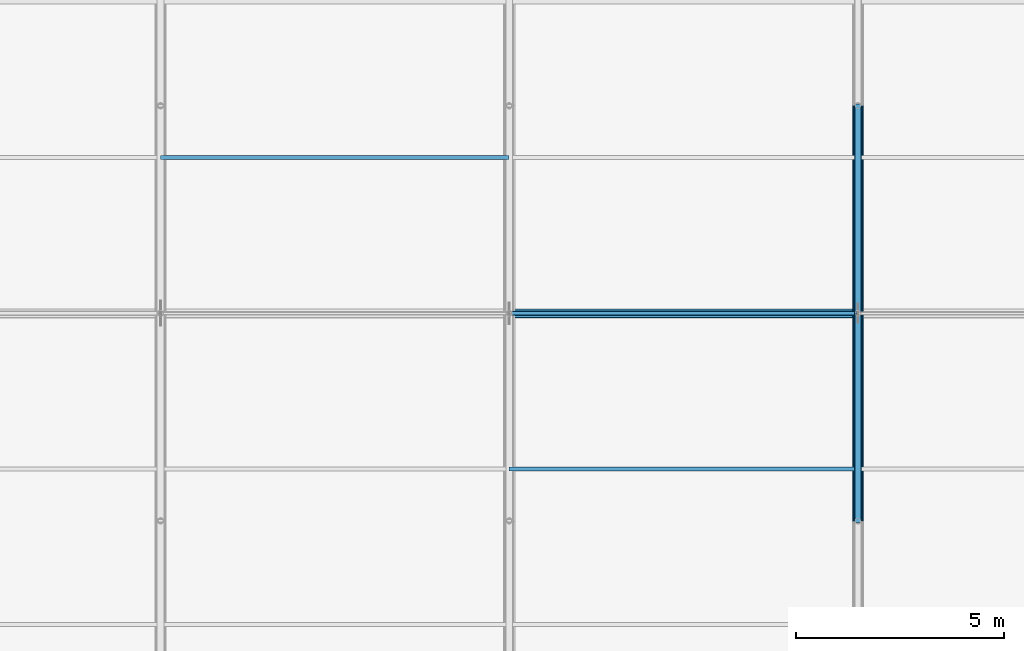
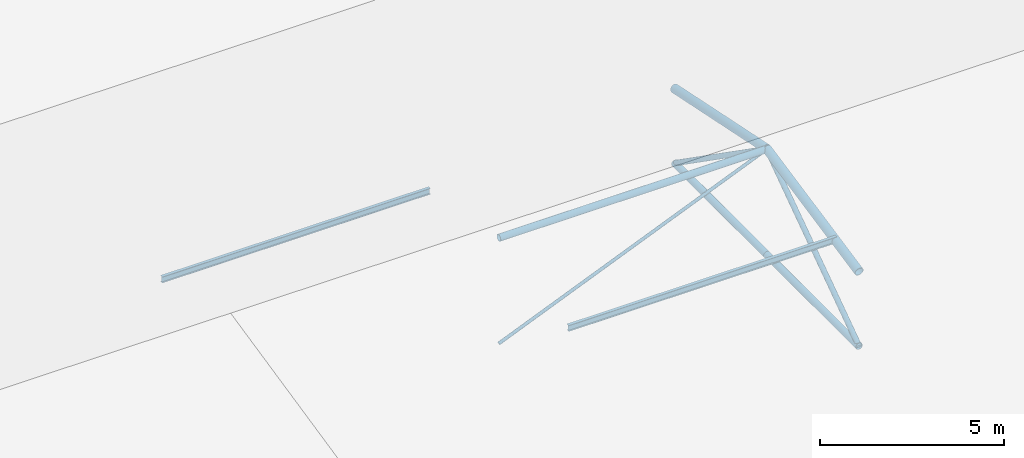
# One storey, part 34 of 194: 8 members, 2 beams.
"""IFC4 building model written with IfcOpenShell, lengths in metres."""

from ifc_helpers import new_model, si_unit, direction, frame, origin, origin_2d, place, context, subcontext, project, spatial, hollow_circle, i_section, extrude, material, material_profile, profile_set, type_object, element, save


model = new_model("IFC4")

# Units and contexts
model_context = context("Model", 3, precision=1e-05, world=origin(), true_north=direction((0.0, 1.0)))
body_context = subcontext(model_context, "Body", "Model", "MODEL_VIEW")
ifc_project = project(units=[si_unit("LENGTHUNIT", "METRE"), si_unit("AREAUNIT", "SQUARE_METRE"), si_unit("VOLUMEUNIT", "CUBIC_METRE"), si_unit("PLANEANGLEUNIT", "RADIAN"), si_unit("MASSUNIT", "GRAM", prefix="KILO")], contexts=[model_context])

# Site, building, storey
site_placement = place(None, origin())
site = spatial("IfcSite", under=ifc_project, at=site_placement, CompositionType="ELEMENT")
building_placement = place(site_placement, origin())
building = spatial("IfcBuilding", under=site, at=building_placement, Name="Kazenagashi Tramway Depot", CompositionType="ELEMENT")
storey_placement = place(building_placement, frame((0.0, 0.0, 23.7)))
storey = spatial("IfcBuildingStorey", under=building, at=storey_placement, Name="ROOF", CompositionType="ELEMENT", Elevation=23.7)

# Beams
ifc_material_1 = material(Name="Steel SN400B", Category="steel")
ifc_material_profile_1 = material_profile(ifc_material_1, i_section(OverallWidth=0.1, OverallDepth=0.2, WebThickness=0.0055, FlangeThickness=0.008, at=origin_2d()), Name="H-200x100x5.5x8")
ifc_profile_set_1 = profile_set([ifc_material_profile_1], Name="Steel SN400B")
beam_type = type_object("IfcBeamType", Name="PR-01", PredefinedType="USERDEFINED", material=ifc_profile_set_1)
for number, where, z_axis, x_axis, name in (
    (1, (103.6, 81.25, -11.305), (1.0, 0.0, 0.0), (0.0, 1.0, 0.0), "Beam PR-01 BM-2061"),
    (2, (95.2, 88.75, -11.305), (1.0, 0.0, 0.0), (0.0, 1.0, 0.0), "Beam PR-01 BM-2078"),
):
    element("IfcBeam", number, at=place(storey_placement, frame(where, z_axis=z_axis, x_axis=x_axis)), inside=storey, type_object=beam_type, Name=name, ObjectType="PURLIN", PredefinedType="USERDEFINED", context=body_context, shape_type="SweptSolid", body=[
        extrude(i_section(OverallWidth=0.1, OverallDepth=0.2, WebThickness=0.0055, FlangeThickness=0.008, at=origin_2d()), origin(), (0.0, 0.0, 1.0), 8.4),
    ])

# Members
ifc_material_2 = material(Name="Steel STK490", Category="steel")
ifc_material_profile_2 = material_profile(ifc_material_2, hollow_circle(Radius=0.1337, WallThickness=0.0093, at=origin_2d()), Name="CHS-267.4x9.3")
ifc_profile_set_2 = profile_set([ifc_material_profile_2], Name="Steel STK490")
member_type_1 = type_object("IfcMemberType", Name="TC-01", PredefinedType="CHORD", material=ifc_profile_set_2)
for number, where, z_axis, x_axis, name in (
    (3, (112.0, 80.0, -11.633), (0.0, 0.979317999984, 0.202327098797), (-1.0, 0.0, 0.0), "Tubular Space Frame TC-01 MEM-0495"),
    (4, (112.0, 85.0, -10.6), (0.0, 0.979317999984, -0.202327098797), (-1.0, 0.0, 0.0), "Tubular Space Frame TC-01 MEM-0498"),
):
    element("IfcMember", number, at=place(storey_placement, frame(where, z_axis=z_axis, x_axis=x_axis)), inside=storey, type_object=member_type_1, Name=name, PredefinedType="CHORD", context=body_context, shape_type="SweptSolid", body=[
        extrude(hollow_circle(Radius=0.1337, WallThickness=0.0093, at=origin_2d()), origin(), (0.0, 0.0, 1.0), 5.105594),
    ])
ifc_material_profile_3 = material_profile(ifc_material_2, hollow_circle(Radius=0.10815, WallThickness=0.0082, at=origin_2d()), Name="CHS-216.3x8.2")
ifc_profile_set_3 = profile_set([ifc_material_profile_3], Name="Steel STK490")
member_type_2 = type_object("IfcMemberType", Name="TC-02", PredefinedType="CHORD", material=ifc_profile_set_3)
member_1_placement = place(storey_placement, frame((103.6, 85.0, -10.6), z_axis=(1.0, 0.0, 0.0), x_axis=(0.0, 1.0, 0.0)))
element("IfcMember", 5, at=member_1_placement, inside=storey, type_object=member_type_2, Name="Tubular Space Frame TC-02 MEM-0455", PredefinedType="CHORD", context=body_context, shape_type="SweptSolid", body=[
    extrude(hollow_circle(Radius=0.10815, WallThickness=0.0082, at=origin_2d()), origin(), (0.0, 0.0, 1.0), 8.4),
])
for number, where, z_axis, x_axis, name in (
    (6, (112.0, 80.0, -14.1), (0.0, 1.0, 0.0), (-1.0, 0.0, 0.0), "Tubular Space Frame TC-02 MEM-0496"),
    (7, (112.0, 85.0, -14.1), (0.0, 1.0, 0.0), (-1.0, 0.0, 0.0), "Tubular Space Frame TC-02 MEM-0499"),
):
    element("IfcMember", number, at=place(storey_placement, frame(where, z_axis=z_axis, x_axis=x_axis)), inside=storey, type_object=member_type_2, Name=name, PredefinedType="CHORD", context=body_context, shape_type="SweptSolid", body=[
        extrude(hollow_circle(Radius=0.10815, WallThickness=0.0082, at=origin_2d()), origin(), (0.0, 0.0, 1.0), 5.0),
    ])
ifc_material_profile_4 = material_profile(ifc_material_2, hollow_circle(Radius=0.0826, WallThickness=0.0071, at=origin_2d()), Name="CHS-165.2x7.1")
ifc_profile_set_4 = profile_set([ifc_material_profile_4], Name="Steel STK490")
member_type_3 = type_object("IfcMemberType", Name="TS-01", PredefinedType="STRUT", material=ifc_profile_set_4)
for number, where, z_axis, x_axis, name in (
    (8, (112.0, 80.0, -14.1), (0.0, 0.819231920519, 0.573462344363), (-1.0, 0.0, 0.0), "Tubular Space Frame TS-01 MEM-0497"),
    (9, (112.0, 85.0, -10.6), (0.0, 0.819231920519, -0.573462344363), (-1.0, 0.0, 0.0), "Tubular Space Frame TS-01 MEM-0500"),
):
    element("IfcMember", number, at=place(storey_placement, frame(where, z_axis=z_axis, x_axis=x_axis)), inside=storey, type_object=member_type_3, Name=name, PredefinedType="STRUT", context=body_context, shape_type="SweptSolid", body=[
        extrude(hollow_circle(Radius=0.0826, WallThickness=0.0071, at=origin_2d()), origin(), (0.0, 0.0, 1.0), 6.103278),
    ])
ifc_material_3 = material(Name="Steel STK400", Category="steel")
ifc_material_profile_5 = material_profile(ifc_material_3, hollow_circle(Radius=0.0508, WallThickness=0.0042, at=origin_2d()), Name="CHS-101.6x4.2")
ifc_profile_set_5 = profile_set([ifc_material_profile_5], Name="Steel STK400")
member_type_4 = type_object("IfcMemberType", Name="TS-06", PredefinedType="STRUT", material=ifc_profile_set_5)
member_2_placement = place(storey_placement, frame((103.6, 85.0, -14.1), z_axis=(0.923076923077, 0.0, 0.384615384615), x_axis=(0.0, 1.0, 0.0)))
element("IfcMember", 10, at=member_2_placement, inside=storey, type_object=member_type_4, Name="Tubular Space Frame TS-06 MEM-0456", PredefinedType="STRUT", context=body_context, shape_type="SweptSolid", body=[
    extrude(hollow_circle(Radius=0.0508, WallThickness=0.0042, at=origin_2d()), origin(), (0.0, 0.0, 1.0), 9.1),
])

save(model, "model.ifc")
